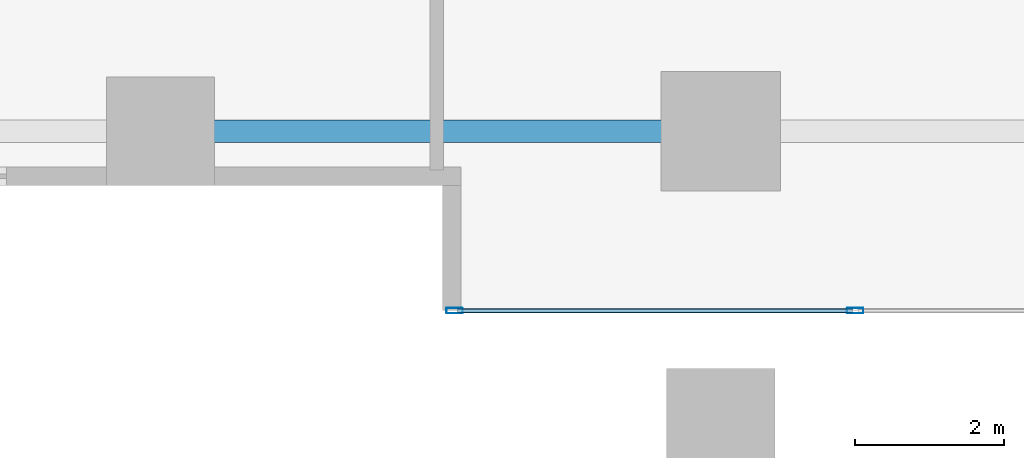
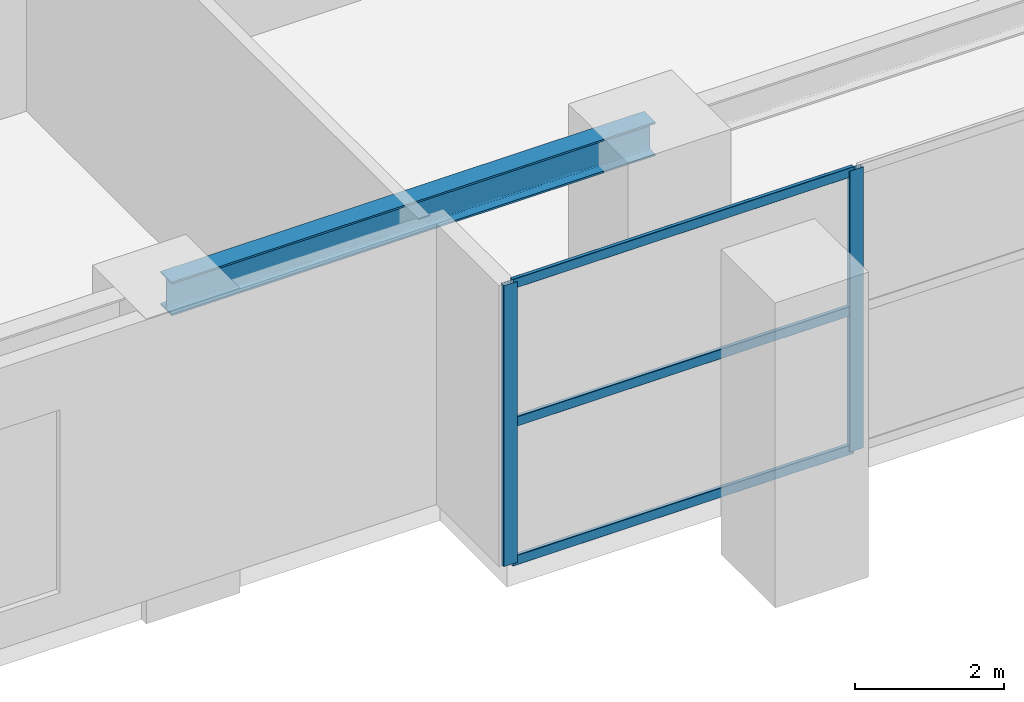
# One storey, part 2 of 20: 5 members, 1 beam, 1 element without a shape of its own.
"""IFC4 building model written with IfcOpenShell, lengths in metres."""

import ifcopenshell
import ifcopenshell.guid

model = None  # the IFC model being written
_history = None  # IfcOwnerHistory: only IFC2X3 demands one
_inside = {}  # id of a spatial element -> (the spatial element, [elements in it])
_under = {}  # id of a project, library or spatial element -> (it, [spatial elements below it])
_declared = {}  # id of a project -> (the project, [libraries it declares])
_typed = {}  # id of a type object -> (the type object, [elements of that type])
_made_of = {}  # id of a material, layer set ... -> (it, [elements and type objects made of it])


def new_model(schema):
    """Start an empty IFC model of exactly this schema.

    Asked for "IFC4X3", IfcOpenShell would pick the latest addendum, in which some entities
    have other attributes; the version numbers below select the first issue.
    IFC2X3 requires an IfcOwnerHistory on every rooted entity: one is made here for all.
    """
    global model, _history
    if schema == "IFC4X3":
        model = ifcopenshell.file(schema_version=(4, 3, 0, 0))
    else:
        model = ifcopenshell.file(schema=schema)
    _inside.clear()
    _under.clear()
    _declared.clear()
    _typed.clear()
    _made_of.clear()
    _history = None
    if model.schema == "IFC2X3":
        org = make("IfcOrganization", Name="unknown")
        user = make(
            "IfcPersonAndOrganization",
            ThePerson=make("IfcPerson", FamilyName="unknown"),
            TheOrganization=org,
        )
        app = make(
            "IfcApplication",
            ApplicationDeveloper=org,
            Version="unknown",
            ApplicationFullName="unknown",
            ApplicationIdentifier="unknown",
        )
        _history = make(
            "IfcOwnerHistory",
            OwningUser=user,
            OwningApplication=app,
            ChangeAction="ADDED",
            CreationDate=0,
        )
    return model


def make(cls, **values):
    """One entity of the class cls with the attributes given. An attribute that is None is left unset."""
    return model.create_entity(
        cls, **{name: value for name, value in values.items() if value is not None}
    )


def rooted(cls, **values):
    """An entity with a GlobalId (a new one), such as an element, a storey or a relation."""
    return make(cls, GlobalId=ifcopenshell.guid.new(), OwnerHistory=_history, **values)


def si_unit(unit_type, name, prefix=None):
    """IfcSIUnit, for example si_unit("LENGTHUNIT", "METRE", prefix="MILLI")."""
    return make("IfcSIUnit", UnitType=unit_type, Prefix=prefix, Name=name)


def assignment(units):
    """IfcUnitAssignment: the units of a project."""
    return None if units is None else make("IfcUnitAssignment", Units=units)


def point(xyz):
    """IfcCartesianPoint."""
    return None if xyz is None else make("IfcCartesianPoint", Coordinates=xyz)


def direction(xyz):
    """IfcDirection."""
    return None if xyz is None else make("IfcDirection", DirectionRatios=xyz)


def frame(location, z_axis=None, x_axis=None):
    """IfcAxis2Placement3D, a coordinate frame: its origin and axes. An axis left out is left unset."""
    return make(
        "IfcAxis2Placement3D",
        Location=point(location),
        Axis=direction(z_axis),
        RefDirection=direction(x_axis),
    )


def frame_2d(location, x_axis=None):
    """IfcAxis2Placement2D, a coordinate frame in the plane: its origin and x axis."""
    return make(
        "IfcAxis2Placement2D", Location=point(location), RefDirection=direction(x_axis)
    )


def origin():
    """The frame at (0, 0, 0) with its axes left unset."""
    return frame((0.0, 0.0, 0.0))


def origin_2d():
    """The frame at (0, 0) in the plane with its x axis left unset."""
    return frame_2d((0.0, 0.0))


def place(relative_to, where):
    """IfcLocalPlacement: puts the frame where relative to a parent placement (None: the world)."""
    return make(
        "IfcLocalPlacement", PlacementRelTo=relative_to, RelativePlacement=where
    )


def context(
    kind, dimensions, precision=None, world=None, true_north=None, identifier=None
):
    """IfcGeometricRepresentationContext, for example the 3D "Model" context."""
    return make(
        "IfcGeometricRepresentationContext",
        ContextIdentifier=identifier,
        ContextType=kind,
        CoordinateSpaceDimension=dimensions,
        Precision=precision,
        WorldCoordinateSystem=world,
        TrueNorth=true_north,
    )


def subcontext(parent, identifier, kind, view, scale=None):
    """IfcGeometricRepresentationSubContext, for example "Body" below "Model"."""
    return make(
        "IfcGeometricRepresentationSubContext",
        ContextIdentifier=identifier,
        ContextType=kind,
        ParentContext=parent,
        TargetScale=scale,
        TargetView=view,
    )


def project(units=None, contexts=None):
    """IfcProject with its units and contexts."""
    return rooted(
        "IfcProject",
        Name="project",
        RepresentationContexts=contexts,
        UnitsInContext=assignment(units),
    )


def spatial(cls, under=None, at=None, **own):
    """A site, building, storey or space (cls), placed at a placement, below another one or the project."""
    s = rooted(cls, ObjectPlacement=at, **own)
    if under is not None:
        _under.setdefault(under.id(), (under, []))[1].append(s)
    return s


def profile(cls, at=None, kind="AREA", **sizes):
    """A parametric profile (cls). Its sizes go by their IFC names, for example OverallWidth=200.0."""
    return make(cls, ProfileType=kind, Position=at, **sizes)


def hollow_rectangle(**sizes):
    """IfcRectangleHollowProfileDef."""
    return profile("IfcRectangleHollowProfileDef", **sizes)


def i_section(**sizes):
    """IfcIShapeProfileDef."""
    return profile("IfcIShapeProfileDef", **sizes)


def extrude(swept, where, along, depth):
    """IfcExtrudedAreaSolid: the profile swept, set in the frame where, extruded along a direction by depth."""
    return make(
        "IfcExtrudedAreaSolid",
        SweptArea=swept,
        Position=where,
        ExtrudedDirection=direction(along),
        Depth=depth,
    )


def shape(context_of_items, identifier, shape_type, items):
    """IfcShapeRepresentation: the items that make up one representation, for example the "Body"."""
    return make(
        "IfcShapeRepresentation",
        ContextOfItems=context_of_items,
        RepresentationIdentifier=identifier,
        RepresentationType=shape_type,
        Items=items,
    )


def source(mapping_origin, context_of_items, identifier, shape_type, items):
    """IfcRepresentationMap: a shape defined once, which mapped items show again and again."""
    return make(
        "IfcRepresentationMap",
        MappingOrigin=mapping_origin,
        MappedRepresentation=shape(context_of_items, identifier, shape_type, items),
    )


def transform(
    local_origin,
    x_axis=None,
    y_axis=None,
    z_axis=None,
    scale=None,
    scale2=None,
    scale3=None,
    uniform=True,
):
    """IfcCartesianTransformationOperator3D, or its non-uniform kind. x_axis, y_axis, z_axis: its Axis1, 2, 3."""
    if uniform:
        return make(
            "IfcCartesianTransformationOperator3D",
            Axis1=direction(x_axis),
            Axis2=direction(y_axis),
            LocalOrigin=point(local_origin),
            Scale=scale,
            Axis3=direction(z_axis),
        )
    return make(
        "IfcCartesianTransformationOperator3DnonUniform",
        Axis1=direction(x_axis),
        Axis2=direction(y_axis),
        LocalOrigin=point(local_origin),
        Scale=scale,
        Axis3=direction(z_axis),
        Scale2=scale2,
        Scale3=scale3,
    )


def mapped(mapping_source, mapping_target):
    """IfcMappedItem: shows the shape of a source again, moved by a transform."""
    return make(
        "IfcMappedItem", MappingSource=mapping_source, MappingTarget=mapping_target
    )


def material(Name=None, Category=None):
    """IfcMaterial."""
    return make("IfcMaterial", Name=Name, Category=Category)


def layer(
    of_material, thickness, ventilated=None, Name=None, Category=None, Priority=None
):
    """IfcMaterialLayer: one layer of a wall or slab, of a material (None: an air gap)."""
    return make(
        "IfcMaterialLayer",
        Material=of_material,
        LayerThickness=thickness,
        IsVentilated=ventilated,
        Name=Name,
        Category=Category,
        Priority=Priority,
    )


def layer_set(layers, Name=None):
    """IfcMaterialLayerSet."""
    return make("IfcMaterialLayerSet", MaterialLayers=layers, LayerSetName=Name)


def material_profile(
    of_material, cross_section, Name=None, Category=None, Priority=None
):
    """IfcMaterialProfile: a cross section and its material."""
    return make(
        "IfcMaterialProfile",
        Name=Name,
        Material=of_material,
        Profile=cross_section,
        Priority=Priority,
        Category=Category,
    )


def profile_set(profiles, Name=None, composite=None):
    """IfcMaterialProfileSet."""
    return make(
        "IfcMaterialProfileSet",
        Name=Name,
        MaterialProfiles=profiles,
        CompositeProfile=composite,
    )


def made_of(thing, what):
    """Note that an element or type object is made of a material, layer set ...; save() writes the relation."""
    if what is not None:
        _made_of.setdefault(what.id(), (what, []))[1].append(thing)
    return thing


def type_object(cls, material=None, **own):
    """A type object (cls), such as IfcWallType, which elements share."""
    return made_of(rooted(cls, **own), material)


def element(
    cls,
    number,
    at=None,
    inside=None,
    cuts=None,
    type_object=None,
    material=None,
    context=None,
    identifier="Body",
    shape_type=None,
    held_by="IfcProductDefinitionShape",
    body=None,
    shapes=None,
    **own,
):
    """One element of the class cls, such as IfcWall. Its Tag is "e" and its number.

    at: its placement. inside: the storey or other place that contains it. cuts: it is an
    opening in that element (IfcRelVoidsElement). A single representation is given by context,
    identifier, shape_type and body (its items); several are given by shapes. held_by: the class
    of the entity that holds the representations. save() writes the other relations.
    """
    e = rooted(cls, Tag="e%d" % number, ObjectPlacement=at, **own)
    if body is not None:
        shapes = [shape(context, identifier, shape_type, body)]
    if shapes is not None:
        e.Representation = make(held_by, Representations=shapes)
    if inside is not None:
        _inside.setdefault(inside.id(), (inside, []))[1].append(e)
    if cuts is not None:
        rooted(
            "IfcRelVoidsElement", RelatingBuildingElement=cuts, RelatedOpeningElement=e
        )
    if type_object is not None:
        _typed.setdefault(type_object.id(), (type_object, []))[1].append(e)
    return made_of(e, material)


def aggregate(whole, parts):
    """IfcRelAggregates: a whole, such as a stair, and the parts it consists of."""
    return rooted("IfcRelAggregates", RelatingObject=whole, RelatedObjects=parts)


def save(model, path):
    """Write the relations noted so far, then the file.

    IfcRelAggregates (storeys below a building ...), IfcRelContainedInSpatialStructure (elements
    in a storey), IfcRelDefinesByType, IfcRelAssociatesMaterial and IfcRelDeclares: one each for
    every whole, place, type object, material and project.
    """
    for whole, parts in _under.values():
        aggregate(whole, parts)
    for where, things in _inside.values():
        rooted(
            "IfcRelContainedInSpatialStructure",
            RelatedElements=things,
            RelatingStructure=where,
        )
    for kind, things in _typed.values():
        rooted("IfcRelDefinesByType", RelatedObjects=things, RelatingType=kind)
    for what, things in _made_of.values():
        rooted("IfcRelAssociatesMaterial", RelatedObjects=things, RelatingMaterial=what)
    for by, libraries in _declared.values():
        rooted("IfcRelDeclares", RelatingContext=by, RelatedDefinitions=libraries)
    model.write(path)


model = new_model("IFC4")

# Units and contexts
model_context = context("Model", 3, precision=1e-05, world=origin(), true_north=direction((0.0, 1.0)))
body_context = subcontext(model_context, "Body", "Model", "MODEL_VIEW")
ifc_project = project(units=[si_unit("LENGTHUNIT", "METRE"), si_unit("AREAUNIT", "SQUARE_METRE"), si_unit("VOLUMEUNIT", "CUBIC_METRE"), si_unit("PLANEANGLEUNIT", "RADIAN"), si_unit("MASSUNIT", "GRAM", prefix="KILO")], contexts=[model_context])

# Site, building, storey
site_placement = place(None, origin())
site = spatial("IfcSite", under=ifc_project, at=site_placement, CompositionType="ELEMENT")
building_placement = place(site_placement, origin())
building = spatial("IfcBuilding", under=site, at=building_placement, Name="Serunith Strait Residences", CompositionType="ELEMENT")
storey_placement = place(building_placement, frame((0.0, 0.0, 5.5)))
storey = spatial("IfcBuildingStorey", under=building, at=storey_placement, Name="L01", CompositionType="ELEMENT", Elevation=5.5)

# Beam
ifc_material_1 = material(Name="Steel S355J2", Category="steel")
ifc_material_profile_1 = material_profile(ifc_material_1, i_section(OverallWidth=0.300048828125, OverallDepth=0.550048828125, WebThickness=0.014892578125, FlangeThickness=0.029052734375, FilletRadius=0.027099609375, at=origin_2d()), Name="HEB 550")
ifc_profile_set_1 = profile_set([ifc_material_profile_1], Name="Steel S355J2")
beam_type = type_object("IfcBeamType", Name="BM-HEB550", PredefinedType="BEAM", material=ifc_profile_set_1)
shared_shape_1 = source(origin(), body_context, "Body", "SweptSolid", [
    extrude(i_section(OverallWidth=0.300048828125, OverallDepth=0.550048828125, WebThickness=0.014892578125, FlangeThickness=0.029052734375, FilletRadius=0.027099609375, at=origin_2d()), origin(), (0.0, 0.0, 1.0), 7.5),
])
beam_placement = place(storey_placement, frame((20.39990234375, 4.800048828125, 4.342041015625), z_axis=(1.0, 0.0, 0.0), x_axis=(0.0, 1.0, 0.0)))
element("IfcBeam", 1, at=beam_placement, inside=storey, type_object=beam_type, Name="BM-L01-02", PredefinedType="BEAM", context=body_context, shape_type="MappedRepresentation", body=[
    mapped(shared_shape_1, transform((0.0, 0.0, 0.0), scale=1.0)),
])

# Curtain wall, members
ifc_material_2 = material(Name="Pale-Champagne Anodised Aluminium", Category="aluminium")
ifc_layer = layer(ifc_material_2, 0.199951171875, Name="Pale-Champagne Anodised Aluminium")
ifc_layer_set = layer_set([ifc_layer], Name="Pale-Champagne Anodised Aluminium")
curtain_wall_type = type_object("IfcCurtainWallType", Name="CW-SYS6", PredefinedType="NOTDEFINED", material=ifc_layer_set)
curtain_wall_placement = place(storey_placement, origin())
curtain_wall = element("IfcCurtainWall", 2, at=curtain_wall_placement, inside=storey, type_object=curtain_wall_type, Name="L01 Podium Galleria Curtain Wall 3A", PredefinedType="NOTDEFINED")
ifc_material_profile_2 = material_profile(ifc_material_2, hollow_rectangle(XDim=0.074951171875, YDim=0.219970703125, WallThickness=0.00390625, InnerFilletRadius=0.006103515625, OuterFilletRadius=0.010009765625, at=origin_2d()), Name="ALU 220x75x4")
ifc_profile_set_2 = profile_set([ifc_material_profile_2], Name="Pale-Champagne Anodised Aluminium")
member_type_1 = type_object("IfcMemberType", Name="CW-SYS6-MULL", PredefinedType="MULLION", material=ifc_profile_set_2)
shared_shape_2 = source(origin(), body_context, "Body", "SweptSolid", [
    extrude(hollow_rectangle(XDim=0.074951171875, YDim=0.219970703125, WallThickness=0.00390625, InnerFilletRadius=0.006103515625, OuterFilletRadius=0.010009765625, at=origin_2d()), origin(), (0.0, 0.0, 1.0), 4.60498046875),
])
member_1_placement = place(storey_placement, frame((24.33740234375, 2.39990234375, 0.0), z_axis=(0.0, 0.0, 1.0), x_axis=(0.0, 1.0, 0.0)))
member_1 = element("IfcMember", 3, at=member_1_placement, type_object=member_type_1, Name="CW-6 mullion 1", PredefinedType="MULLION", context=body_context, shape_type="MappedRepresentation", body=[
    mapped(shared_shape_2, transform((0.0, 0.0, 0.0), scale=1.0)),
])
member_2_placement = place(storey_placement, frame((29.699951171875, 2.39990234375, 0.0), z_axis=(0.0, 0.0, 1.0), x_axis=(0.0, 1.0, 0.0)))
member_2 = element("IfcMember", 4, at=member_2_placement, type_object=member_type_1, Name="CW-6 mullion 2", PredefinedType="MULLION", context=body_context, shape_type="MappedRepresentation", body=[
    mapped(shared_shape_2, transform((0.0, 0.0, 0.0), scale=1.0)),
])
ifc_material_profile_3 = material_profile(ifc_material_2, hollow_rectangle(XDim=0.06005859375, YDim=0.159912109375, WallThickness=0.00341796875, InnerFilletRadius=0.00537109375, OuterFilletRadius=0.0087890625, at=origin_2d()), Name="ALU 160x60x3.5")
ifc_profile_set_3 = profile_set([ifc_material_profile_3], Name="Pale-Champagne Anodised Aluminium")
member_type_2 = type_object("IfcMemberType", Name="CW-SYS6-TRAN", PredefinedType="USERDEFINED", material=ifc_profile_set_3)
shared_shape_3 = source(origin(), body_context, "Body", "SweptSolid", [
    extrude(hollow_rectangle(XDim=0.06005859375, YDim=0.159912109375, WallThickness=0.00341796875, InnerFilletRadius=0.00537109375, OuterFilletRadius=0.0087890625, at=origin_2d()), origin(), (0.0, 0.0, 1.0), 5.28759765625),
])
member_3_placement = place(storey_placement, frame((24.375, 2.39990234375, 0.030029296875), z_axis=(1.0, 0.0, 0.0), x_axis=(0.0, 1.0, 0.0)))
member_3 = element("IfcMember", 5, at=member_3_placement, type_object=member_type_2, Name="CW-6 transom 1.1", ObjectType="TRANSOM", PredefinedType="USERDEFINED", context=body_context, shape_type="MappedRepresentation", body=[
    mapped(shared_shape_3, transform((0.0, 0.0, 0.0), scale=1.0)),
])
member_4_placement = place(storey_placement, frame((24.375, 2.39990234375, 2.302490234375), z_axis=(1.0, 0.0, 0.0), x_axis=(0.0, 1.0, 0.0)))
member_4 = element("IfcMember", 6, at=member_4_placement, type_object=member_type_2, Name="CW-6 transom 1.2", ObjectType="TRANSOM", PredefinedType="USERDEFINED", context=body_context, shape_type="MappedRepresentation", body=[
    mapped(shared_shape_3, transform((0.0, 0.0, 0.0), scale=1.0)),
])
member_5_placement = place(storey_placement, frame((24.375, 2.39990234375, 4.574951171875), z_axis=(1.0, 0.0, 0.0), x_axis=(0.0, 1.0, 0.0)))
member_5 = element("IfcMember", 7, at=member_5_placement, type_object=member_type_2, Name="CW-6 transom 1.3", ObjectType="TRANSOM", PredefinedType="USERDEFINED", context=body_context, shape_type="MappedRepresentation", body=[
    mapped(shared_shape_3, transform((0.0, 0.0, 0.0), scale=1.0)),
])
aggregate(curtain_wall, [member_1, member_2, member_3, member_4, member_5])

save(model, "model.ifc")
